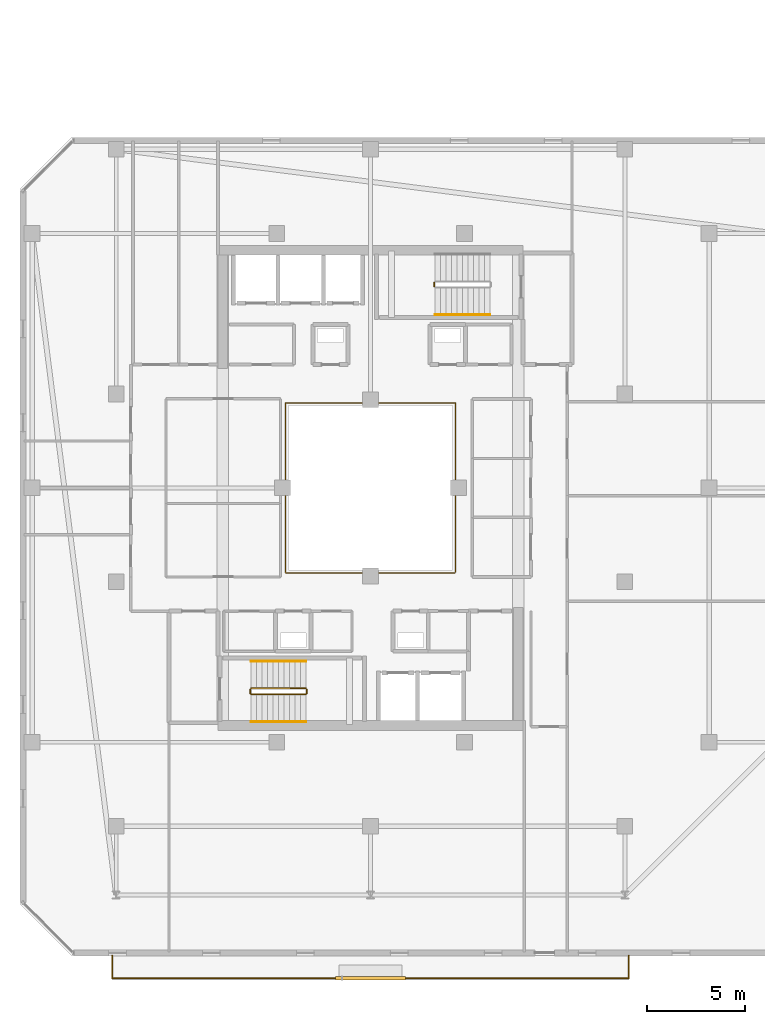
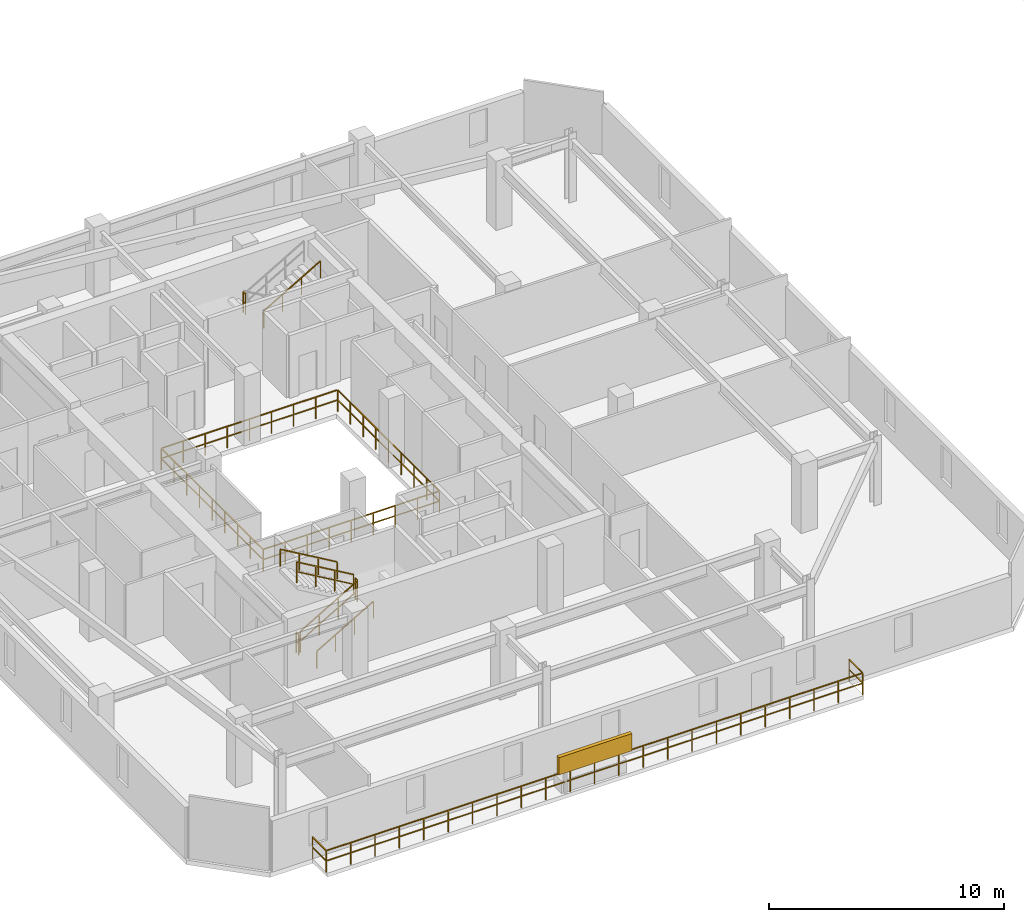
# One storey, part 32 of 35: 10 railings, 1 shading device.
"""IFC4 building model written with IfcOpenShell, lengths in metres."""

from ifc_helpers import new_model, si_unit, direction, frame, origin, origin_2d, place, context, subcontext, project, spatial, rectangle, extrude, material, type_object, element, save


model = new_model("IFC4")

# Units and contexts
model_context = context("Model", 3, precision=1e-05, world=origin(), true_north=direction((0.0, 1.0)))
body_context = subcontext(model_context, "Body", "Model", "MODEL_VIEW")
ifc_project = project(units=[si_unit("LENGTHUNIT", "METRE"), si_unit("AREAUNIT", "SQUARE_METRE"), si_unit("VOLUMEUNIT", "CUBIC_METRE"), si_unit("PLANEANGLEUNIT", "RADIAN"), si_unit("MASSUNIT", "GRAM", prefix="KILO")], contexts=[model_context])

# Site, building, storey
site_placement = place(None, origin())
site = spatial("IfcSite", under=ifc_project, at=site_placement, CompositionType="ELEMENT")
building_placement = place(site_placement, origin())
building = spatial("IfcBuilding", under=site, at=building_placement, Name="Thornwick Lancets Civic Towers", CompositionType="ELEMENT")
storey_placement = place(building_placement, frame((0.0, 0.0, 276.300048828125)))
storey = spatial("IfcBuildingStorey", under=building, at=storey_placement, Name="L74", CompositionType="ELEMENT", Elevation=276.300048828125)

# Railings
ifc_material_1 = material(Name="Laminated glass and bronze steel S355", Category="steel")
railing_type_1 = type_object("IfcRailingType", Name="RAIL_ATRIUM_GUARD", PredefinedType="BALUSTRADE", material=ifc_material_1)
railing_1_placement = place(storey_placement, frame((21.159912109375, 22.659912109375, 0.0)))
element("IfcRailing", 1, at=railing_1_placement, inside=storey, type_object=railing_type_1, Name="L74 Tower A Central Atrium Guard Balustrade", PredefinedType="BALUSTRADE", context=body_context, shape_type="SweptSolid", body=[
    extrude(rectangle(XDim=0.048095703125, YDim=0.048095703125, at=origin_2d()), frame((0.0, 0.0, 1.1259765625), z_axis=(1.0, 0.0, 0.0), x_axis=(0.0, 1.0, 0.0)), (0.0, 0.0, 1.0), 8.64892578125),
    extrude(rectangle(XDim=0.0419921875, YDim=0.0419921875, at=origin_2d()), frame((0.03759765625, 0.0, 0.597900390625), z_axis=(1.0, 0.0, 0.0), x_axis=(0.0, 1.0, 0.0)), (0.0, 0.0, 1.0), 1.010009765625),
    extrude(rectangle(XDim=0.0419921875, YDim=0.0419921875, at=origin_2d()), frame((1.12255859375, 0.0, 0.597900390625), z_axis=(1.0, 0.0, 0.0), x_axis=(0.0, 1.0, 0.0)), (0.0, 0.0, 1.0), 1.010009765625),
    extrude(rectangle(XDim=0.0419921875, YDim=0.0419921875, at=origin_2d()), frame((2.20751953125, 0.0, 0.597900390625), z_axis=(1.0, 0.0, 0.0), x_axis=(0.0, 1.0, 0.0)), (0.0, 0.0, 1.0), 1.010009765625),
    extrude(rectangle(XDim=0.0419921875, YDim=0.0419921875, at=origin_2d()), frame((3.29248046875, 0.0, 0.597900390625), z_axis=(1.0, 0.0, 0.0), x_axis=(0.0, 1.0, 0.0)), (0.0, 0.0, 1.0), 1.010009765625),
    extrude(rectangle(XDim=0.0419921875, YDim=0.0419921875, at=origin_2d()), frame((4.377685546875, 0.0, 0.597900390625), z_axis=(1.0, 0.0, 0.0), x_axis=(0.0, 1.0, 0.0)), (0.0, 0.0, 1.0), 1.010009765625),
    extrude(rectangle(XDim=0.0419921875, YDim=0.0419921875, at=origin_2d()), frame((5.462646484375, 0.0, 0.597900390625), z_axis=(1.0, 0.0, 0.0), x_axis=(0.0, 1.0, 0.0)), (0.0, 0.0, 1.0), 1.010009765625),
    extrude(rectangle(XDim=0.0419921875, YDim=0.0419921875, at=origin_2d()), frame((6.547607421875, 0.0, 0.597900390625), z_axis=(1.0, 0.0, 0.0), x_axis=(0.0, 1.0, 0.0)), (0.0, 0.0, 1.0), 1.010009765625),
    extrude(rectangle(XDim=0.0419921875, YDim=0.0419921875, at=origin_2d()), frame((7.632568359375, 0.0, 0.597900390625), z_axis=(1.0, 0.0, 0.0), x_axis=(0.0, 1.0, 0.0)), (0.0, 0.0, 1.0), 1.010009765625),
    extrude(rectangle(XDim=0.048095703125, YDim=0.048095703125, at=origin_2d()), frame((8.68017578125, 0.03125, 1.1259765625), z_axis=(0.0, 1.0, 0.0), x_axis=(-1.0, 0.0, 0.0)), (0.0, 0.0, 1.0), 8.61767578125),
    extrude(rectangle(XDim=0.0419921875, YDim=0.0419921875, at=origin_2d()), frame((8.68017578125, 0.03759765625, 0.597900390625), z_axis=(0.0, 1.0, 0.0), x_axis=(-1.0, 0.0, 0.0)), (0.0, 0.0, 1.0), 1.010009765625),
    extrude(rectangle(XDim=0.0419921875, YDim=0.0419921875, at=origin_2d()), frame((8.68017578125, 1.12255859375, 0.597900390625), z_axis=(0.0, 1.0, 0.0), x_axis=(-1.0, 0.0, 0.0)), (0.0, 0.0, 1.0), 1.010009765625),
    extrude(rectangle(XDim=0.0419921875, YDim=0.0419921875, at=origin_2d()), frame((8.68017578125, 2.20751953125, 0.597900390625), z_axis=(0.0, 1.0, 0.0), x_axis=(-1.0, 0.0, 0.0)), (0.0, 0.0, 1.0), 1.010009765625),
    extrude(rectangle(XDim=0.0419921875, YDim=0.0419921875, at=origin_2d()), frame((8.68017578125, 3.29248046875, 0.597900390625), z_axis=(0.0, 1.0, 0.0), x_axis=(-1.0, 0.0, 0.0)), (0.0, 0.0, 1.0), 1.010009765625),
    extrude(rectangle(XDim=0.0419921875, YDim=0.0419921875, at=origin_2d()), frame((8.68017578125, 4.377685546875, 0.597900390625), z_axis=(0.0, 1.0, 0.0), x_axis=(-1.0, 0.0, 0.0)), (0.0, 0.0, 1.0), 1.010009765625),
    extrude(rectangle(XDim=0.0419921875, YDim=0.0419921875, at=origin_2d()), frame((8.68017578125, 5.462646484375, 0.597900390625), z_axis=(0.0, 1.0, 0.0), x_axis=(-1.0, 0.0, 0.0)), (0.0, 0.0, 1.0), 1.010009765625),
    extrude(rectangle(XDim=0.0419921875, YDim=0.0419921875, at=origin_2d()), frame((8.68017578125, 6.547607421875, 0.597900390625), z_axis=(0.0, 1.0, 0.0), x_axis=(-1.0, 0.0, 0.0)), (0.0, 0.0, 1.0), 1.010009765625),
    extrude(rectangle(XDim=0.0419921875, YDim=0.0419921875, at=origin_2d()), frame((8.68017578125, 7.632568359375, 0.597900390625), z_axis=(0.0, 1.0, 0.0), x_axis=(-1.0, 0.0, 0.0)), (0.0, 0.0, 1.0), 1.010009765625),
    extrude(rectangle(XDim=0.048095703125, YDim=0.048095703125, at=origin_2d()), frame((8.64892578125, 8.68017578125, 1.1259765625), z_axis=(-1.0, 0.0, 0.0), x_axis=(0.0, -1.0, 0.0)), (0.0, 0.0, 1.0), 8.61767578125),
    extrude(rectangle(XDim=0.0419921875, YDim=0.0419921875, at=origin_2d()), frame((8.642578125, 8.68017578125, 0.597900390625), z_axis=(-1.0, 0.0, 0.0), x_axis=(0.0, -1.0, 0.0)), (0.0, 0.0, 1.0), 1.010009765625),
    extrude(rectangle(XDim=0.0419921875, YDim=0.0419921875, at=origin_2d()), frame((7.5576171875, 8.68017578125, 0.597900390625), z_axis=(-1.0, 0.0, 0.0), x_axis=(0.0, -1.0, 0.0)), (0.0, 0.0, 1.0), 1.010009765625),
    extrude(rectangle(XDim=0.0419921875, YDim=0.0419921875, at=origin_2d()), frame((6.47265625, 8.68017578125, 0.597900390625), z_axis=(-1.0, 0.0, 0.0), x_axis=(0.0, -1.0, 0.0)), (0.0, 0.0, 1.0), 1.010009765625),
    extrude(rectangle(XDim=0.0419921875, YDim=0.0419921875, at=origin_2d()), frame((5.3876953125, 8.68017578125, 0.597900390625), z_axis=(-1.0, 0.0, 0.0), x_axis=(0.0, -1.0, 0.0)), (0.0, 0.0, 1.0), 1.010009765625),
    extrude(rectangle(XDim=0.0419921875, YDim=0.0419921875, at=origin_2d()), frame((4.302490234375, 8.68017578125, 0.597900390625), z_axis=(-1.0, 0.0, 0.0), x_axis=(0.0, -1.0, 0.0)), (0.0, 0.0, 1.0), 1.010009765625),
    extrude(rectangle(XDim=0.0419921875, YDim=0.0419921875, at=origin_2d()), frame((3.217529296875, 8.68017578125, 0.597900390625), z_axis=(-1.0, 0.0, 0.0), x_axis=(0.0, -1.0, 0.0)), (0.0, 0.0, 1.0), 1.010009765625),
    extrude(rectangle(XDim=0.0419921875, YDim=0.0419921875, at=origin_2d()), frame((2.132568359375, 8.68017578125, 0.597900390625), z_axis=(-1.0, 0.0, 0.0), x_axis=(0.0, -1.0, 0.0)), (0.0, 0.0, 1.0), 1.010009765625),
    extrude(rectangle(XDim=0.0419921875, YDim=0.0419921875, at=origin_2d()), frame((1.047607421875, 8.68017578125, 0.597900390625), z_axis=(-1.0, 0.0, 0.0), x_axis=(0.0, -1.0, 0.0)), (0.0, 0.0, 1.0), 1.010009765625),
    extrude(rectangle(XDim=0.048095703125, YDim=0.048095703125, at=origin_2d()), frame((0.0, 8.64892578125, 1.1259765625), z_axis=(0.0, -1.0, 0.0), x_axis=(1.0, 0.0, 0.0)), (0.0, 0.0, 1.0), 8.64892578125),
    extrude(rectangle(XDim=0.0419921875, YDim=0.0419921875, at=origin_2d()), frame((0.0, 8.642578125, 0.597900390625), z_axis=(0.0, -1.0, 0.0), x_axis=(1.0, 0.0, 0.0)), (0.0, 0.0, 1.0), 1.010009765625),
    extrude(rectangle(XDim=0.0419921875, YDim=0.0419921875, at=origin_2d()), frame((0.0, 7.5576171875, 0.597900390625), z_axis=(0.0, -1.0, 0.0), x_axis=(1.0, 0.0, 0.0)), (0.0, 0.0, 1.0), 1.010009765625),
    extrude(rectangle(XDim=0.0419921875, YDim=0.0419921875, at=origin_2d()), frame((0.0, 6.47265625, 0.597900390625), z_axis=(0.0, -1.0, 0.0), x_axis=(1.0, 0.0, 0.0)), (0.0, 0.0, 1.0), 1.010009765625),
    extrude(rectangle(XDim=0.0419921875, YDim=0.0419921875, at=origin_2d()), frame((0.0, 5.3876953125, 0.597900390625), z_axis=(0.0, -1.0, 0.0), x_axis=(1.0, 0.0, 0.0)), (0.0, 0.0, 1.0), 1.010009765625),
    extrude(rectangle(XDim=0.0419921875, YDim=0.0419921875, at=origin_2d()), frame((0.0, 4.302490234375, 0.597900390625), z_axis=(0.0, -1.0, 0.0), x_axis=(1.0, 0.0, 0.0)), (0.0, 0.0, 1.0), 1.010009765625),
    extrude(rectangle(XDim=0.0419921875, YDim=0.0419921875, at=origin_2d()), frame((0.0, 3.217529296875, 0.597900390625), z_axis=(0.0, -1.0, 0.0), x_axis=(1.0, 0.0, 0.0)), (0.0, 0.0, 1.0), 1.010009765625),
    extrude(rectangle(XDim=0.0419921875, YDim=0.0419921875, at=origin_2d()), frame((0.0, 2.132568359375, 0.597900390625), z_axis=(0.0, -1.0, 0.0), x_axis=(1.0, 0.0, 0.0)), (0.0, 0.0, 1.0), 1.010009765625),
    extrude(rectangle(XDim=0.0419921875, YDim=0.0419921875, at=origin_2d()), frame((0.0, 1.047607421875, 0.597900390625), z_axis=(0.0, -1.0, 0.0), x_axis=(1.0, 0.0, 0.0)), (0.0, 0.0, 1.0), 1.010009765625),
    extrude(rectangle(XDim=0.0419921875, YDim=0.0419921875, at=origin_2d()), origin(), (0.0, 0.0, 1.0), 1.095703125),
    extrude(rectangle(XDim=0.0419921875, YDim=0.0419921875, at=origin_2d()), frame((1.0849609375, 0.0, 0.0)), (0.0, 0.0, 1.0), 1.095703125),
    extrude(rectangle(XDim=0.0419921875, YDim=0.0419921875, at=origin_2d()), frame((2.169921875, 0.0, 0.0)), (0.0, 0.0, 1.0), 1.095703125),
    extrude(rectangle(XDim=0.0419921875, YDim=0.0419921875, at=origin_2d()), frame((3.255126953125, 0.0, 0.0)), (0.0, 0.0, 1.0), 1.095703125),
    extrude(rectangle(XDim=0.0419921875, YDim=0.0419921875, at=origin_2d()), frame((4.340087890625, 0.0, 0.0)), (0.0, 0.0, 1.0), 1.095703125),
    extrude(rectangle(XDim=0.0419921875, YDim=0.0419921875, at=origin_2d()), frame((5.425048828125, 0.0, 0.0)), (0.0, 0.0, 1.0), 1.095703125),
    extrude(rectangle(XDim=0.0419921875, YDim=0.0419921875, at=origin_2d()), frame((6.51025390625, 0.0, 0.0)), (0.0, 0.0, 1.0), 1.095703125),
    extrude(rectangle(XDim=0.0419921875, YDim=0.0419921875, at=origin_2d()), frame((7.59521484375, 0.0, 0.0)), (0.0, 0.0, 1.0), 1.095703125),
    extrude(rectangle(XDim=0.0419921875, YDim=0.0419921875, at=origin_2d()), frame((8.68017578125, 0.0, 0.0)), (0.0, 0.0, 1.0), 1.095703125),
    extrude(rectangle(XDim=0.0419921875, YDim=0.0419921875, at=origin_2d()), frame((8.68017578125, 1.0849609375, 0.0)), (0.0, 0.0, 1.0), 1.095703125),
    extrude(rectangle(XDim=0.0419921875, YDim=0.0419921875, at=origin_2d()), frame((8.68017578125, 2.169921875, 0.0)), (0.0, 0.0, 1.0), 1.095703125),
    extrude(rectangle(XDim=0.0419921875, YDim=0.0419921875, at=origin_2d()), frame((8.68017578125, 3.255126953125, 0.0)), (0.0, 0.0, 1.0), 1.095703125),
    extrude(rectangle(XDim=0.0419921875, YDim=0.0419921875, at=origin_2d()), frame((8.68017578125, 4.340087890625, 0.0)), (0.0, 0.0, 1.0), 1.095703125),
    extrude(rectangle(XDim=0.0419921875, YDim=0.0419921875, at=origin_2d()), frame((8.68017578125, 5.425048828125, 0.0)), (0.0, 0.0, 1.0), 1.095703125),
    extrude(rectangle(XDim=0.0419921875, YDim=0.0419921875, at=origin_2d()), frame((8.68017578125, 6.51025390625, 0.0)), (0.0, 0.0, 1.0), 1.095703125),
    extrude(rectangle(XDim=0.0419921875, YDim=0.0419921875, at=origin_2d()), frame((8.68017578125, 7.59521484375, 0.0)), (0.0, 0.0, 1.0), 1.095703125),
    extrude(rectangle(XDim=0.0419921875, YDim=0.0419921875, at=origin_2d()), frame((8.68017578125, 8.68017578125, 0.0)), (0.0, 0.0, 1.0), 1.095703125),
    extrude(rectangle(XDim=0.0419921875, YDim=0.0419921875, at=origin_2d()), frame((7.59521484375, 8.68017578125, 0.0)), (0.0, 0.0, 1.0), 1.095703125),
    extrude(rectangle(XDim=0.0419921875, YDim=0.0419921875, at=origin_2d()), frame((6.51025390625, 8.68017578125, 0.0)), (0.0, 0.0, 1.0), 1.095703125),
    extrude(rectangle(XDim=0.0419921875, YDim=0.0419921875, at=origin_2d()), frame((5.425048828125, 8.68017578125, 0.0)), (0.0, 0.0, 1.0), 1.095703125),
    extrude(rectangle(XDim=0.0419921875, YDim=0.0419921875, at=origin_2d()), frame((4.340087890625, 8.68017578125, 0.0)), (0.0, 0.0, 1.0), 1.095703125),
    extrude(rectangle(XDim=0.0419921875, YDim=0.0419921875, at=origin_2d()), frame((3.255126953125, 8.68017578125, 0.0)), (0.0, 0.0, 1.0), 1.095703125),
    extrude(rectangle(XDim=0.0419921875, YDim=0.0419921875, at=origin_2d()), frame((2.169921875, 8.68017578125, 0.0)), (0.0, 0.0, 1.0), 1.095703125),
    extrude(rectangle(XDim=0.0419921875, YDim=0.0419921875, at=origin_2d()), frame((1.0849609375, 8.68017578125, 0.0)), (0.0, 0.0, 1.0), 1.095703125),
    extrude(rectangle(XDim=0.0419921875, YDim=0.0419921875, at=origin_2d()), frame((0.0, 8.68017578125, 0.0)), (0.0, 0.0, 1.0), 1.095703125),
    extrude(rectangle(XDim=0.0419921875, YDim=0.0419921875, at=origin_2d()), frame((0.0, 7.59521484375, 0.0)), (0.0, 0.0, 1.0), 1.095703125),
    extrude(rectangle(XDim=0.0419921875, YDim=0.0419921875, at=origin_2d()), frame((0.0, 6.51025390625, 0.0)), (0.0, 0.0, 1.0), 1.095703125),
    extrude(rectangle(XDim=0.0419921875, YDim=0.0419921875, at=origin_2d()), frame((0.0, 5.425048828125, 0.0)), (0.0, 0.0, 1.0), 1.095703125),
    extrude(rectangle(XDim=0.0419921875, YDim=0.0419921875, at=origin_2d()), frame((0.0, 4.340087890625, 0.0)), (0.0, 0.0, 1.0), 1.095703125),
    extrude(rectangle(XDim=0.0419921875, YDim=0.0419921875, at=origin_2d()), frame((0.0, 3.255126953125, 0.0)), (0.0, 0.0, 1.0), 1.095703125),
    extrude(rectangle(XDim=0.0419921875, YDim=0.0419921875, at=origin_2d()), frame((0.0, 2.169921875, 0.0)), (0.0, 0.0, 1.0), 1.095703125),
    extrude(rectangle(XDim=0.0419921875, YDim=0.0419921875, at=origin_2d()), frame((0.0, 1.0849609375, 0.0)), (0.0, 0.0, 1.0), 1.095703125),
])
ifc_material_2 = material(Name="Brushed stainless steel S355", Category="steel")
railing_type_2 = type_object("IfcRailingType", Name="RAIL_HANDRAIL", PredefinedType="HANDRAIL", material=ifc_material_2)
railing_2_placement = place(storey_placement, frame((19.39990234375, 15.050048828125, 0.16357421875)))
element("IfcRailing", 2, at=railing_2_placement, inside=storey, type_object=railing_type_2, Name="L74 ST-A1 stair handrail 1", PredefinedType="HANDRAIL", context=body_context, shape_type="SweptSolid", body=[
    extrude(rectangle(XDim=0.048095703125, YDim=0.048095703125, at=origin_2d()), frame((0.0, 0.0, 0.8857421875), z_axis=(0.863360870873, 0.0, 0.504586966384), x_axis=(0.0, 1.0, 0.0)), (0.0, 0.0, 1.0), 3.2431640625),
    extrude(rectangle(XDim=0.0419921875, YDim=0.0419921875, at=origin_2d()), origin(), (0.0, 0.0, 1.0), 0.855712890625),
    extrude(rectangle(XDim=0.0419921875, YDim=0.0419921875, at=origin_2d()), frame((0.933349609375, 0.0, 0.54541015625)), (0.0, 0.0, 1.0), 0.855712890625),
    extrude(rectangle(XDim=0.0419921875, YDim=0.0419921875, at=origin_2d()), frame((1.86669921875, 0.0, 1.091064453125)), (0.0, 0.0, 1.0), 0.855712890625),
    extrude(rectangle(XDim=0.0419921875, YDim=0.0419921875, at=origin_2d()), frame((2.800048828125, 0.0, 1.636474609375)), (0.0, 0.0, 1.0), 0.855712890625),
])
railing_3_placement = place(storey_placement, frame((22.199951171875, 18.14990234375, 1.963623046875)))
element("IfcRailing", 3, at=railing_3_placement, inside=storey, type_object=railing_type_2, Name="L74 ST-A1 stair handrail 2", PredefinedType="HANDRAIL", context=body_context, shape_type="SweptSolid", body=[
    extrude(rectangle(XDim=0.048095703125, YDim=0.048095703125, at=origin_2d()), frame((0.0, 0.0, 0.8857421875), z_axis=(-0.863393664356, 0.0, 0.504530851732), x_axis=(0.0, -1.0, 0.0)), (0.0, 0.0, 1.0), 3.2431640625),
    extrude(rectangle(XDim=0.0419921875, YDim=0.0419921875, at=origin_2d()), origin(), (0.0, 0.0, 1.0), 0.855712890625),
    extrude(rectangle(XDim=0.0419921875, YDim=0.0419921875, at=origin_2d()), frame((-0.933349609375, 0.0, 0.54541015625)), (0.0, 0.0, 1.0), 0.855712890625),
    extrude(rectangle(XDim=0.0419921875, YDim=0.0419921875, at=origin_2d()), frame((-1.86669921875, 0.0, 1.0908203125)), (0.0, 0.0, 1.0), 0.855712890625),
    extrude(rectangle(XDim=0.0419921875, YDim=0.0419921875, at=origin_2d()), frame((-2.800048828125, 0.0, 1.63623046875)), (0.0, 0.0, 1.0), 0.855712890625),
])
railing_4_placement = place(storey_placement, frame((28.800048828125, 35.85009765625, 1.963623046875)))
element("IfcRailing", 4, at=railing_4_placement, inside=storey, type_object=railing_type_2, Name="L74 ST-A2 stair handrail 2", PredefinedType="HANDRAIL", context=body_context, shape_type="SweptSolid", body=[
    extrude(rectangle(XDim=0.048095703125, YDim=0.048095703125, at=origin_2d()), frame((0.0, 0.0, 0.8857421875), z_axis=(0.863393664356, 0.0, 0.504530851732), x_axis=(0.0, 1.0, 0.0)), (0.0, 0.0, 1.0), 3.2431640625),
    extrude(rectangle(XDim=0.0419921875, YDim=0.0419921875, at=origin_2d()), origin(), (0.0, 0.0, 1.0), 0.855712890625),
    extrude(rectangle(XDim=0.0419921875, YDim=0.0419921875, at=origin_2d()), frame((0.933349609375, 0.0, 0.54541015625)), (0.0, 0.0, 1.0), 0.855712890625),
    extrude(rectangle(XDim=0.0419921875, YDim=0.0419921875, at=origin_2d()), frame((1.86669921875, 0.0, 1.0908203125)), (0.0, 0.0, 1.0), 0.855712890625),
    extrude(rectangle(XDim=0.0419921875, YDim=0.0419921875, at=origin_2d()), frame((2.800048828125, 0.0, 1.63623046875)), (0.0, 0.0, 1.0), 0.855712890625),
])
ifc_material_3 = material(Name="Steel S355JR", Category="steel")
railing_type_3 = type_object("IfcRailingType", Name="RAIL_STAIR_GUARD", PredefinedType="GUARDRAIL", material=ifc_material_3)
railing_5_placement = place(storey_placement, frame((19.39990234375, 16.449951171875, 0.16357421875)))
element("IfcRailing", 5, at=railing_5_placement, inside=storey, type_object=railing_type_3, Name="L74 ST-A1 stair guard 1", PredefinedType="GUARDRAIL", context=body_context, shape_type="SweptSolid", body=[
    extrude(rectangle(XDim=0.048095703125, YDim=0.048095703125, at=origin_2d()), frame((0.0, 0.0, 1.076171875), z_axis=(0.863360870873, 0.0, 0.504586966384), x_axis=(0.0, 1.0, 0.0)), (0.0, 0.0, 1.0), 3.2431640625),
    extrude(rectangle(XDim=0.0419921875, YDim=0.0419921875, at=origin_2d()), frame((0.032470703125, 0.0, 0.591064453125), z_axis=(0.863360870873, 0.0, 0.504586966384), x_axis=(0.0, 1.0, 0.0)), (0.0, 0.0, 1.0), 1.006103515625),
    extrude(rectangle(XDim=0.0419921875, YDim=0.0419921875, at=origin_2d()), frame((0.9658203125, 0.0, 1.136474609375), z_axis=(0.863360870873, 0.0, 0.504586966384), x_axis=(0.0, 1.0, 0.0)), (0.0, 0.0, 1.0), 1.006103515625),
    extrude(rectangle(XDim=0.0419921875, YDim=0.0419921875, at=origin_2d()), frame((1.899169921875, 0.0, 1.681884765625), z_axis=(0.863360870873, 0.0, 0.504586966384), x_axis=(0.0, 1.0, 0.0)), (0.0, 0.0, 1.0), 1.006103515625),
    extrude(rectangle(XDim=0.0419921875, YDim=0.0419921875, at=origin_2d()), origin(), (0.0, 0.0, 1.0), 1.0458984375),
    extrude(rectangle(XDim=0.0419921875, YDim=0.0419921875, at=origin_2d()), frame((0.933349609375, 0.0, 0.54541015625)), (0.0, 0.0, 1.0), 1.0458984375),
    extrude(rectangle(XDim=0.0419921875, YDim=0.0419921875, at=origin_2d()), frame((1.86669921875, 0.0, 1.091064453125)), (0.0, 0.0, 1.0), 1.0458984375),
    extrude(rectangle(XDim=0.0419921875, YDim=0.0419921875, at=origin_2d()), frame((2.800048828125, 0.0, 1.636474609375)), (0.0, 0.0, 1.0), 1.0458984375),
])
railing_6_placement = place(storey_placement, frame((22.25, 16.5, 1.800048828125)))
element("IfcRailing", 6, at=railing_6_placement, inside=storey, type_object=railing_type_3, Name="L74 ST-A1 stair guard 2", PredefinedType="GUARDRAIL", context=body_context, shape_type="SweptSolid", body=[
    extrude(rectangle(XDim=0.048095703125, YDim=0.048095703125, at=origin_2d()), frame((0.0, 0.0, 1.076171875), z_axis=(0.0, 1.0, 0.0), x_axis=(-1.0, 0.0, 0.0)), (0.0, 0.0, 1.0), 0.199951171875),
    extrude(rectangle(XDim=0.0419921875, YDim=0.0419921875, at=origin_2d()), frame((0.0, 0.03759765625, 0.572021484375), z_axis=(0.0, 1.0, 0.0), x_axis=(-1.0, 0.0, 0.0)), (0.0, 0.0, 1.0), 0.125),
    extrude(rectangle(XDim=0.0419921875, YDim=0.0419921875, at=origin_2d()), origin(), (0.0, 0.0, 1.0), 1.0458984375),
    extrude(rectangle(XDim=0.0419921875, YDim=0.0419921875, at=origin_2d()), frame((0.0, 0.199951171875, 0.0)), (0.0, 0.0, 1.0), 1.0458984375),
])
railing_7_placement = place(storey_placement, frame((22.199951171875, 16.75, 1.963623046875)))
element("IfcRailing", 7, at=railing_7_placement, inside=storey, type_object=railing_type_3, Name="L74 ST-A1 stair guard 3", PredefinedType="GUARDRAIL", context=body_context, shape_type="SweptSolid", body=[
    extrude(rectangle(XDim=0.048095703125, YDim=0.048095703125, at=origin_2d()), frame((0.0, 0.0, 1.076171875), z_axis=(-0.863393664356, 0.0, 0.504530851732), x_axis=(0.0, -1.0, 0.0)), (0.0, 0.0, 1.0), 3.2431640625),
    extrude(rectangle(XDim=0.0419921875, YDim=0.0419921875, at=origin_2d()), frame((-0.032470703125, 0.0, 0.591064453125), z_axis=(-0.863393664356, 0.0, 0.504530851732), x_axis=(0.0, -1.0, 0.0)), (0.0, 0.0, 1.0), 1.006103515625),
    extrude(rectangle(XDim=0.0419921875, YDim=0.0419921875, at=origin_2d()), frame((-0.9658203125, 0.0, 1.136474609375), z_axis=(-0.863393664356, 0.0, 0.504530851732), x_axis=(0.0, -1.0, 0.0)), (0.0, 0.0, 1.0), 1.006103515625),
    extrude(rectangle(XDim=0.0419921875, YDim=0.0419921875, at=origin_2d()), frame((-1.899169921875, 0.0, 1.681884765625), z_axis=(-0.863393664356, 0.0, 0.504530851732), x_axis=(0.0, -1.0, 0.0)), (0.0, 0.0, 1.0), 1.006103515625),
    extrude(rectangle(XDim=0.0419921875, YDim=0.0419921875, at=origin_2d()), origin(), (0.0, 0.0, 1.0), 1.0458984375),
    extrude(rectangle(XDim=0.0419921875, YDim=0.0419921875, at=origin_2d()), frame((-0.933349609375, 0.0, 0.54541015625)), (0.0, 0.0, 1.0), 1.0458984375),
    extrude(rectangle(XDim=0.0419921875, YDim=0.0419921875, at=origin_2d()), frame((-1.86669921875, 0.0, 1.0908203125)), (0.0, 0.0, 1.0), 1.0458984375),
    extrude(rectangle(XDim=0.0419921875, YDim=0.0419921875, at=origin_2d()), frame((-2.800048828125, 0.0, 1.63623046875)), (0.0, 0.0, 1.0), 1.0458984375),
])
railing_8_placement = place(storey_placement, frame((19.35009765625, 16.5, 0.0)))
element("IfcRailing", 8, at=railing_8_placement, inside=storey, type_object=railing_type_3, Name="L74 ST-A1 stair guard 4", PredefinedType="GUARDRAIL", context=body_context, shape_type="SweptSolid", body=[
    extrude(rectangle(XDim=0.048095703125, YDim=0.048095703125, at=origin_2d()), frame((0.0, 0.0, 1.076171875), z_axis=(0.0, 1.0, 0.0), x_axis=(-1.0, 0.0, 0.0)), (0.0, 0.0, 1.0), 0.199951171875),
    extrude(rectangle(XDim=0.0419921875, YDim=0.0419921875, at=origin_2d()), frame((0.0, 0.03759765625, 0.572021484375), z_axis=(0.0, 1.0, 0.0), x_axis=(-1.0, 0.0, 0.0)), (0.0, 0.0, 1.0), 0.125),
    extrude(rectangle(XDim=0.0419921875, YDim=0.0419921875, at=origin_2d()), origin(), (0.0, 0.0, 1.0), 1.0458984375),
    extrude(rectangle(XDim=0.0419921875, YDim=0.0419921875, at=origin_2d()), frame((0.0, 0.199951171875, 0.0)), (0.0, 0.0, 1.0), 1.0458984375),
])
railing_9_placement = place(storey_placement, frame((28.75, 37.5, 1.800048828125)))
element("IfcRailing", 9, at=railing_9_placement, inside=storey, type_object=railing_type_3, Name="L74 ST-A2 stair guard 2", PredefinedType="GUARDRAIL", context=body_context, shape_type="SweptSolid", body=[
    extrude(rectangle(XDim=0.048095703125, YDim=0.048095703125, at=origin_2d()), frame((0.0, 0.0, 1.076171875), z_axis=(0.0, -1.0, 0.0), x_axis=(1.0, 0.0, 0.0)), (0.0, 0.0, 1.0), 0.199951171875),
    extrude(rectangle(XDim=0.0419921875, YDim=0.0419921875, at=origin_2d()), frame((0.0, -0.03759765625, 0.572021484375), z_axis=(0.0, -1.0, 0.0), x_axis=(1.0, 0.0, 0.0)), (0.0, 0.0, 1.0), 0.125),
    extrude(rectangle(XDim=0.0419921875, YDim=0.0419921875, at=origin_2d()), origin(), (0.0, 0.0, 1.0), 1.0458984375),
    extrude(rectangle(XDim=0.0419921875, YDim=0.0419921875, at=origin_2d()), frame((0.0, -0.199951171875, 0.0)), (0.0, 0.0, 1.0), 1.0458984375),
])
ifc_material_4 = material(Name="Terracotta-capped laminated glass balustrade S355", Category="masonry")
railing_type_4 = type_object("IfcRailingType", Name="RAIL_TERR_GUARD", PredefinedType="GUARDRAIL", material=ifc_material_4)
railing_10_placement = place(storey_placement, frame((12.300048828125, 3.10009765625, 0.0)))
element("IfcRailing", 10, at=railing_10_placement, inside=storey, type_object=railing_type_4, Name="L74 Tower A Balcony Guard S", PredefinedType="GUARDRAIL", context=body_context, shape_type="SweptSolid", body=[
    extrude(rectangle(XDim=0.048095703125, YDim=0.048095703125, at=origin_2d()), frame((0.0, 0.0, 1.1259765625), z_axis=(0.0, -1.0, 0.0), x_axis=(1.0, 0.0, 0.0)), (0.0, 0.0, 1.0), 1.138916015625),
    extrude(rectangle(XDim=0.0419921875, YDim=0.0419921875, at=origin_2d()), frame((0.0, -0.03759765625, 0.597900390625), z_axis=(0.0, -1.0, 0.0), x_axis=(1.0, 0.0, 0.0)), (0.0, 0.0, 1.0), 1.09521484375),
    extrude(rectangle(XDim=0.048095703125, YDim=0.048095703125, at=origin_2d()), frame((0.03125, -1.170166015625, 1.1259765625), z_axis=(1.0, 0.0, 0.0), x_axis=(0.0, 1.0, 0.0)), (0.0, 0.0, 1.0), 26.33740234375),
    extrude(rectangle(XDim=0.0419921875, YDim=0.0419921875, at=origin_2d()), frame((0.03759765625, -1.170166015625, 0.597900390625), z_axis=(1.0, 0.0, 0.0), x_axis=(0.0, 1.0, 0.0)), (0.0, 0.0, 1.0), 1.125),
    extrude(rectangle(XDim=0.0419921875, YDim=0.0419921875, at=origin_2d()), frame((1.237548828125, -1.170166015625, 0.597900390625), z_axis=(1.0, 0.0, 0.0), x_axis=(0.0, 1.0, 0.0)), (0.0, 0.0, 1.0), 1.125),
    extrude(rectangle(XDim=0.0419921875, YDim=0.0419921875, at=origin_2d()), frame((2.4375, -1.170166015625, 0.597900390625), z_axis=(1.0, 0.0, 0.0), x_axis=(0.0, 1.0, 0.0)), (0.0, 0.0, 1.0), 1.125),
    extrude(rectangle(XDim=0.0419921875, YDim=0.0419921875, at=origin_2d()), frame((3.637451171875, -1.170166015625, 0.597900390625), z_axis=(1.0, 0.0, 0.0), x_axis=(0.0, 1.0, 0.0)), (0.0, 0.0, 1.0), 1.125),
    extrude(rectangle(XDim=0.0419921875, YDim=0.0419921875, at=origin_2d()), frame((4.83740234375, -1.170166015625, 0.597900390625), z_axis=(1.0, 0.0, 0.0), x_axis=(0.0, 1.0, 0.0)), (0.0, 0.0, 1.0), 1.125),
    extrude(rectangle(XDim=0.0419921875, YDim=0.0419921875, at=origin_2d()), frame((6.037353515625, -1.170166015625, 0.597900390625), z_axis=(1.0, 0.0, 0.0), x_axis=(0.0, 1.0, 0.0)), (0.0, 0.0, 1.0), 1.125),
    extrude(rectangle(XDim=0.0419921875, YDim=0.0419921875, at=origin_2d()), frame((7.237548828125, -1.170166015625, 0.597900390625), z_axis=(1.0, 0.0, 0.0), x_axis=(0.0, 1.0, 0.0)), (0.0, 0.0, 1.0), 1.125),
    extrude(rectangle(XDim=0.0419921875, YDim=0.0419921875, at=origin_2d()), frame((8.4375, -1.170166015625, 0.597900390625), z_axis=(1.0, 0.0, 0.0), x_axis=(0.0, 1.0, 0.0)), (0.0, 0.0, 1.0), 1.125),
    extrude(rectangle(XDim=0.0419921875, YDim=0.0419921875, at=origin_2d()), frame((9.637451171875, -1.170166015625, 0.597900390625), z_axis=(1.0, 0.0, 0.0), x_axis=(0.0, 1.0, 0.0)), (0.0, 0.0, 1.0), 1.125),
    extrude(rectangle(XDim=0.0419921875, YDim=0.0419921875, at=origin_2d()), frame((10.83740234375, -1.170166015625, 0.597900390625), z_axis=(1.0, 0.0, 0.0), x_axis=(0.0, 1.0, 0.0)), (0.0, 0.0, 1.0), 1.125),
    extrude(rectangle(XDim=0.0419921875, YDim=0.0419921875, at=origin_2d()), frame((12.037353515625, -1.170166015625, 0.597900390625), z_axis=(1.0, 0.0, 0.0), x_axis=(0.0, 1.0, 0.0)), (0.0, 0.0, 1.0), 1.125),
    extrude(rectangle(XDim=0.0419921875, YDim=0.0419921875, at=origin_2d()), frame((13.237548828125, -1.170166015625, 0.597900390625), z_axis=(1.0, 0.0, 0.0), x_axis=(0.0, 1.0, 0.0)), (0.0, 0.0, 1.0), 1.125),
    extrude(rectangle(XDim=0.0419921875, YDim=0.0419921875, at=origin_2d()), frame((14.4375, -1.170166015625, 0.597900390625), z_axis=(1.0, 0.0, 0.0), x_axis=(0.0, 1.0, 0.0)), (0.0, 0.0, 1.0), 1.125),
    extrude(rectangle(XDim=0.0419921875, YDim=0.0419921875, at=origin_2d()), frame((15.637451171875, -1.170166015625, 0.597900390625), z_axis=(1.0, 0.0, 0.0), x_axis=(0.0, 1.0, 0.0)), (0.0, 0.0, 1.0), 1.125),
    extrude(rectangle(XDim=0.0419921875, YDim=0.0419921875, at=origin_2d()), frame((16.83740234375, -1.170166015625, 0.597900390625), z_axis=(1.0, 0.0, 0.0), x_axis=(0.0, 1.0, 0.0)), (0.0, 0.0, 1.0), 1.125),
    extrude(rectangle(XDim=0.0419921875, YDim=0.0419921875, at=origin_2d()), frame((18.037353515625, -1.170166015625, 0.597900390625), z_axis=(1.0, 0.0, 0.0), x_axis=(0.0, 1.0, 0.0)), (0.0, 0.0, 1.0), 1.125),
    extrude(rectangle(XDim=0.0419921875, YDim=0.0419921875, at=origin_2d()), frame((19.2373046875, -1.170166015625, 0.597900390625), z_axis=(1.0, 0.0, 0.0), x_axis=(0.0, 1.0, 0.0)), (0.0, 0.0, 1.0), 1.125),
    extrude(rectangle(XDim=0.0419921875, YDim=0.0419921875, at=origin_2d()), frame((20.4375, -1.170166015625, 0.597900390625), z_axis=(1.0, 0.0, 0.0), x_axis=(0.0, 1.0, 0.0)), (0.0, 0.0, 1.0), 1.125),
    extrude(rectangle(XDim=0.0419921875, YDim=0.0419921875, at=origin_2d()), frame((21.637451171875, -1.170166015625, 0.597900390625), z_axis=(1.0, 0.0, 0.0), x_axis=(0.0, 1.0, 0.0)), (0.0, 0.0, 1.0), 1.125),
    extrude(rectangle(XDim=0.0419921875, YDim=0.0419921875, at=origin_2d()), frame((22.83740234375, -1.170166015625, 0.597900390625), z_axis=(1.0, 0.0, 0.0), x_axis=(0.0, 1.0, 0.0)), (0.0, 0.0, 1.0), 1.125),
    extrude(rectangle(XDim=0.0419921875, YDim=0.0419921875, at=origin_2d()), frame((24.037353515625, -1.170166015625, 0.597900390625), z_axis=(1.0, 0.0, 0.0), x_axis=(0.0, 1.0, 0.0)), (0.0, 0.0, 1.0), 1.125),
    extrude(rectangle(XDim=0.0419921875, YDim=0.0419921875, at=origin_2d()), frame((25.2373046875, -1.170166015625, 0.597900390625), z_axis=(1.0, 0.0, 0.0), x_axis=(0.0, 1.0, 0.0)), (0.0, 0.0, 1.0), 1.125),
    extrude(rectangle(XDim=0.048095703125, YDim=0.048095703125, at=origin_2d()), frame((26.39990234375, -1.138916015625, 1.1259765625), z_axis=(0.0, 1.0, 0.0), x_axis=(-1.0, 0.0, 0.0)), (0.0, 0.0, 1.0), 1.138916015625),
    extrude(rectangle(XDim=0.0419921875, YDim=0.0419921875, at=origin_2d()), frame((26.39990234375, -1.132568359375, 0.597900390625), z_axis=(0.0, 1.0, 0.0), x_axis=(-1.0, 0.0, 0.0)), (0.0, 0.0, 1.0), 1.09521484375),
    extrude(rectangle(XDim=0.0419921875, YDim=0.0419921875, at=origin_2d()), origin(), (0.0, 0.0, 1.0), 1.095703125),
    extrude(rectangle(XDim=0.0419921875, YDim=0.0419921875, at=origin_2d()), frame((0.0, -1.170166015625, 0.0)), (0.0, 0.0, 1.0), 1.095703125),
    extrude(rectangle(XDim=0.0419921875, YDim=0.0419921875, at=origin_2d()), frame((1.199951171875, -1.170166015625, 0.0)), (0.0, 0.0, 1.0), 1.095703125),
    extrude(rectangle(XDim=0.0419921875, YDim=0.0419921875, at=origin_2d()), frame((2.39990234375, -1.170166015625, 0.0)), (0.0, 0.0, 1.0), 1.095703125),
    extrude(rectangle(XDim=0.0419921875, YDim=0.0419921875, at=origin_2d()), frame((3.60009765625, -1.170166015625, 0.0)), (0.0, 0.0, 1.0), 1.095703125),
    extrude(rectangle(XDim=0.0419921875, YDim=0.0419921875, at=origin_2d()), frame((4.800048828125, -1.170166015625, 0.0)), (0.0, 0.0, 1.0), 1.095703125),
    extrude(rectangle(XDim=0.0419921875, YDim=0.0419921875, at=origin_2d()), frame((6.0, -1.170166015625, 0.0)), (0.0, 0.0, 1.0), 1.095703125),
    extrude(rectangle(XDim=0.0419921875, YDim=0.0419921875, at=origin_2d()), frame((7.199951171875, -1.170166015625, 0.0)), (0.0, 0.0, 1.0), 1.095703125),
    extrude(rectangle(XDim=0.0419921875, YDim=0.0419921875, at=origin_2d()), frame((8.39990234375, -1.170166015625, 0.0)), (0.0, 0.0, 1.0), 1.095703125),
    extrude(rectangle(XDim=0.0419921875, YDim=0.0419921875, at=origin_2d()), frame((9.599853515625, -1.170166015625, 0.0)), (0.0, 0.0, 1.0), 1.095703125),
    extrude(rectangle(XDim=0.0419921875, YDim=0.0419921875, at=origin_2d()), frame((10.800048828125, -1.170166015625, 0.0)), (0.0, 0.0, 1.0), 1.095703125),
    extrude(rectangle(XDim=0.0419921875, YDim=0.0419921875, at=origin_2d()), frame((12.0, -1.170166015625, 0.0)), (0.0, 0.0, 1.0), 1.095703125),
    extrude(rectangle(XDim=0.0419921875, YDim=0.0419921875, at=origin_2d()), frame((13.199951171875, -1.170166015625, 0.0)), (0.0, 0.0, 1.0), 1.095703125),
    extrude(rectangle(XDim=0.0419921875, YDim=0.0419921875, at=origin_2d()), frame((14.39990234375, -1.170166015625, 0.0)), (0.0, 0.0, 1.0), 1.095703125),
    extrude(rectangle(XDim=0.0419921875, YDim=0.0419921875, at=origin_2d()), frame((15.599853515625, -1.170166015625, 0.0)), (0.0, 0.0, 1.0), 1.095703125),
    extrude(rectangle(XDim=0.0419921875, YDim=0.0419921875, at=origin_2d()), frame((16.800048828125, -1.170166015625, 0.0)), (0.0, 0.0, 1.0), 1.095703125),
    extrude(rectangle(XDim=0.0419921875, YDim=0.0419921875, at=origin_2d()), frame((18.0, -1.170166015625, 0.0)), (0.0, 0.0, 1.0), 1.095703125),
    extrude(rectangle(XDim=0.0419921875, YDim=0.0419921875, at=origin_2d()), frame((19.199951171875, -1.170166015625, 0.0)), (0.0, 0.0, 1.0), 1.095703125),
    extrude(rectangle(XDim=0.0419921875, YDim=0.0419921875, at=origin_2d()), frame((20.39990234375, -1.170166015625, 0.0)), (0.0, 0.0, 1.0), 1.095703125),
    extrude(rectangle(XDim=0.0419921875, YDim=0.0419921875, at=origin_2d()), frame((21.599853515625, -1.170166015625, 0.0)), (0.0, 0.0, 1.0), 1.095703125),
    extrude(rectangle(XDim=0.0419921875, YDim=0.0419921875, at=origin_2d()), frame((22.7998046875, -1.170166015625, 0.0)), (0.0, 0.0, 1.0), 1.095703125),
    extrude(rectangle(XDim=0.0419921875, YDim=0.0419921875, at=origin_2d()), frame((24.0, -1.170166015625, 0.0)), (0.0, 0.0, 1.0), 1.095703125),
    extrude(rectangle(XDim=0.0419921875, YDim=0.0419921875, at=origin_2d()), frame((25.199951171875, -1.170166015625, 0.0)), (0.0, 0.0, 1.0), 1.095703125),
    extrude(rectangle(XDim=0.0419921875, YDim=0.0419921875, at=origin_2d()), frame((26.39990234375, -1.170166015625, 0.0)), (0.0, 0.0, 1.0), 1.095703125),
    extrude(rectangle(XDim=0.0419921875, YDim=0.0419921875, at=origin_2d()), frame((26.39990234375, 0.0, 0.0)), (0.0, 0.0, 1.0), 1.095703125),
])

# Shading device
ifc_material_5 = material(Name="Extruded terracotta baguette solar screen", Category="masonry")
shading_device_type = type_object("IfcShadingDeviceType", Name="SHADE_BAGUETTE", PredefinedType="JALOUSIE", material=ifc_material_5)
shading_device_placement = place(storey_placement, frame((25.5, 1.93994140625, 1.1201171875), z_axis=(0.0, 0.0, 1.0), x_axis=(1.0, 0.0, 0.0)))
element("IfcShadingDevice", 11, at=shading_device_placement, inside=storey, type_object=shading_device_type, Name="L74 Tower A Terracotta Baguette Screen S", PredefinedType="JALOUSIE", context=body_context, shape_type="SweptSolid", body=[
    extrude(rectangle(XDim=3.60009765625, YDim=0.179931640625, at=origin_2d()), origin(), (0.0, 0.0, 1.0), 0.89990234375),
])

save(model, "model.ifc")
